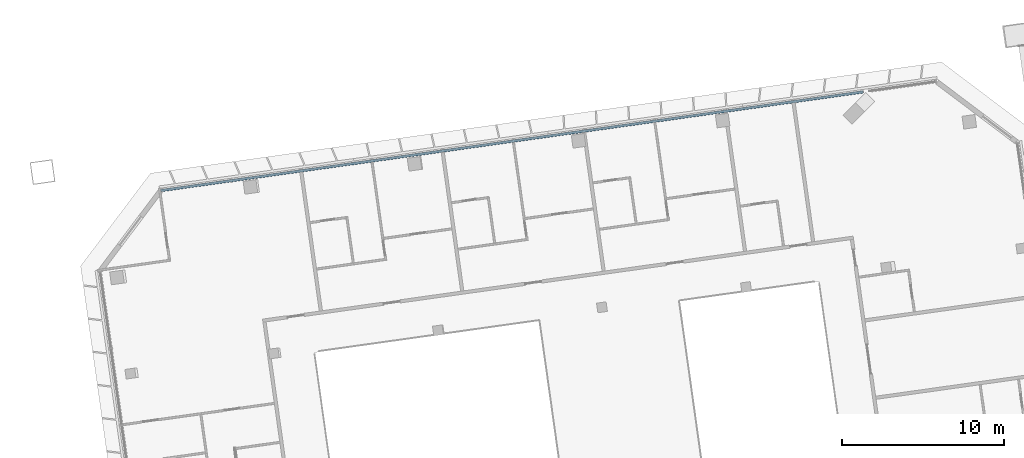
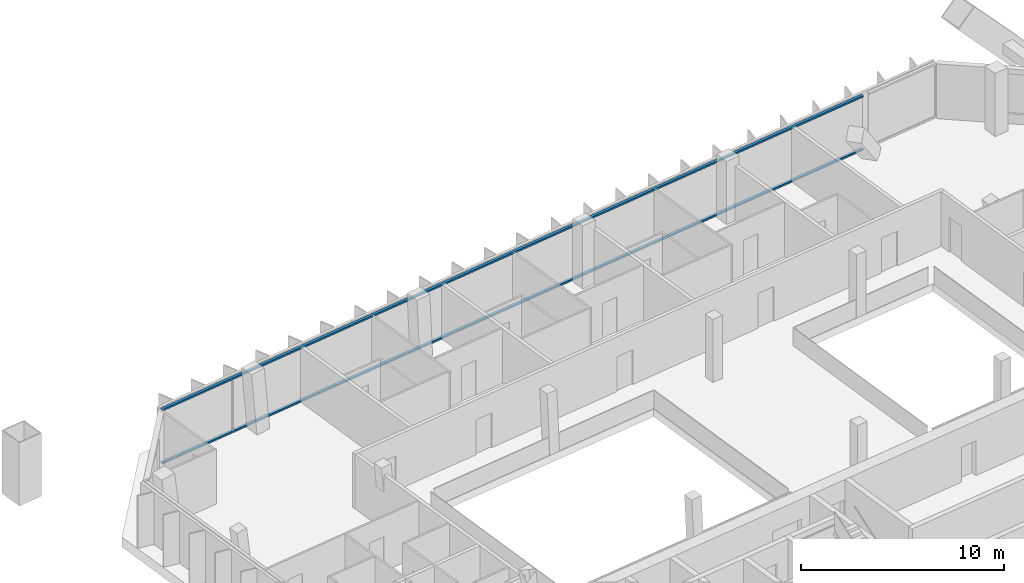
# One storey, part 13 of 29: 2 members, 1 element without a shape of its own.
"""IFC4 building model written with IfcOpenShell, lengths in metres."""

from ifc_helpers import new_model, si_unit, direction, frame, origin, origin_2d, place, context, subcontext, project, spatial, rectangle, extrude, material, material_profile, profile_set, type_object, element, aggregate, save


model = new_model("IFC4")

# Units and contexts
model_context = context("Model", 3, precision=1e-05, world=origin(), true_north=direction((0.0, 1.0)))
body_context = subcontext(model_context, "Body", "Model", "MODEL_VIEW")
ifc_project = project(units=[si_unit("LENGTHUNIT", "METRE"), si_unit("AREAUNIT", "SQUARE_METRE"), si_unit("VOLUMEUNIT", "CUBIC_METRE"), si_unit("PLANEANGLEUNIT", "RADIAN"), si_unit("MASSUNIT", "GRAM", prefix="KILO")], contexts=[model_context])

# Site, building, storey
site_placement = place(None, origin())
site = spatial("IfcSite", under=ifc_project, at=site_placement, CompositionType="ELEMENT")
building_placement = place(site_placement, origin())
building = spatial("IfcBuilding", under=site, at=building_placement, Name="Mirante Cascada Hotel Towers", CompositionType="ELEMENT")
storey_placement = place(building_placement, frame((0.0, 0.0, 206.8)))
storey = spatial("IfcBuildingStorey", under=building, at=storey_placement, Name="L49", CompositionType="ELEMENT", Elevation=206.8)

# Curtain wall, members
ifc_material_1 = material(Name="Aluminium mullion and transom frame with clear laminated glass", Category="aluminium")
curtain_wall_type = type_object("IfcCurtainWallType", Name="Ribbon curtain wall ECW1", PredefinedType="NOTDEFINED", material=ifc_material_1)
curtain_wall_placement = place(storey_placement, origin())
curtain_wall = element("IfcCurtainWall", 1, at=curtain_wall_placement, inside=storey, type_object=curtain_wall_type, Name="Front ribbon wall T2 L49", PredefinedType="NOTDEFINED")
ifc_material_2 = material(Name="Anodised aluminium extrusion", Category="aluminium")
ifc_material_profile = material_profile(ifc_material_2, rectangle(XDim=0.16, YDim=0.1, at=origin_2d()), Name="ECW1 TRANSOM 100x160")
ifc_profile_set = profile_set([ifc_material_profile], Name="Anodised aluminium extrusion")
member_type = type_object("IfcMemberType", Name="ECW1 transom 100x160", PredefinedType="USERDEFINED", material=ifc_profile_set)
member_1_placement = place(storey_placement, frame((71.801, 22.91, 0.05), z_axis=(-0.990268, -0.1391736, 0.0), x_axis=(0.1391736, -0.990268, 0.0)))
member_1 = element("IfcMember", 2, at=member_1_placement, type_object=member_type, Name="ECW1 sill transom", ObjectType="TRANSOM", PredefinedType="USERDEFINED", context=body_context, shape_type="SweptSolid", body=[
    extrude(rectangle(XDim=0.16, YDim=0.1, at=origin_2d()), origin(), (0.0, 0.0, 1.0), 43.8855),
])
member_2_placement = place(storey_placement, frame((71.801, 22.91, 3.25), z_axis=(-0.990268, -0.1391736, 0.0), x_axis=(0.1391736, -0.990268, 0.0)))
member_2 = element("IfcMember", 3, at=member_2_placement, type_object=member_type, Name="ECW1 head transom", ObjectType="TRANSOM", PredefinedType="USERDEFINED", context=body_context, shape_type="SweptSolid", body=[
    extrude(rectangle(XDim=0.16, YDim=0.1, at=origin_2d()), origin(), (0.0, 0.0, 1.0), 43.8855),
])
aggregate(curtain_wall, [member_1, member_2])

save(model, "model.ifc")
